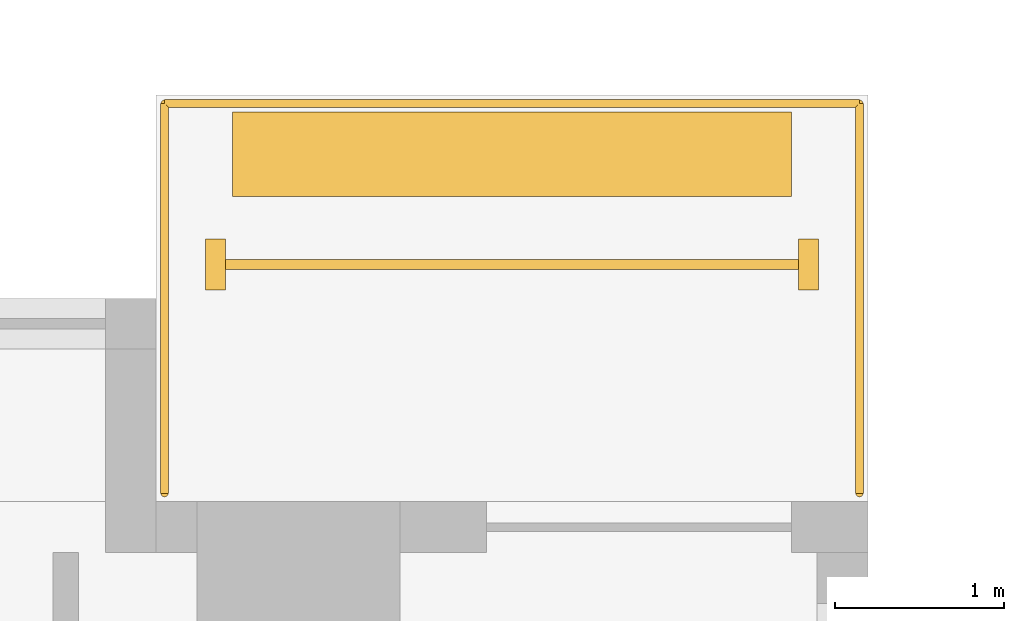
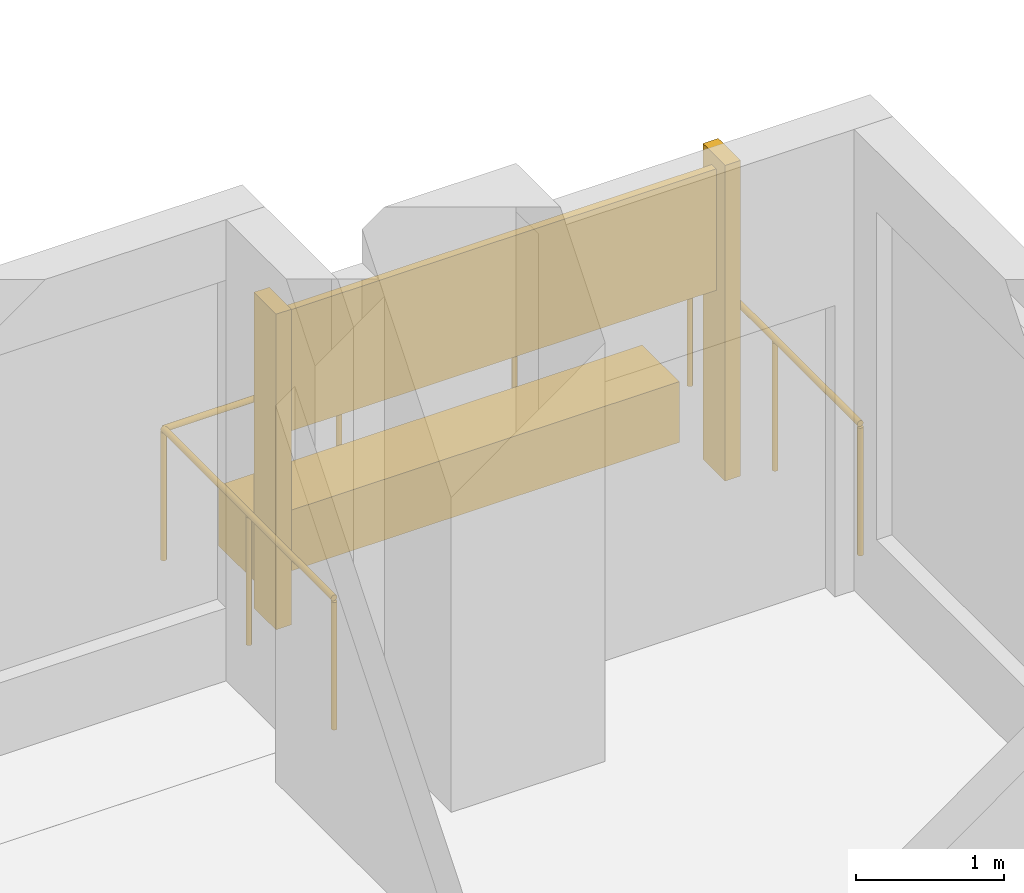
# One storey, part 15 of 15: 4 coverings, 1 railing.
"""IFC4 building model written with IfcOpenShell, lengths in metres."""

from ifc_helpers import new_model, si_unit, direction, frame, origin, origin_2d, place, context, subcontext, project, spatial, rectangle, circle, extrude, source, transform, mapped, material, type_object, element, save


model = new_model("IFC4")

# Units and contexts
model_context = context("Model", 3, precision=1e-05, world=origin(), true_north=direction((0.0, 1.0)))
body_context = subcontext(model_context, "Body", "Model", "MODEL_VIEW")
ifc_project = project(units=[si_unit("LENGTHUNIT", "METRE"), si_unit("AREAUNIT", "SQUARE_METRE"), si_unit("VOLUMEUNIT", "CUBIC_METRE"), si_unit("PLANEANGLEUNIT", "RADIAN"), si_unit("MASSUNIT", "GRAM", prefix="KILO")], contexts=[model_context])

# Site, building, storey
site_placement = place(None, origin())
site = spatial("IfcSite", under=ifc_project, at=site_placement, CompositionType="ELEMENT")
building_placement = place(site_placement, origin())
building = spatial("IfcBuilding", under=site, at=building_placement, Name="Aurelian Terraces", CompositionType="ELEMENT")
storey_placement = place(building_placement, frame((0.0, 0.0, 65.7)))
storey = spatial("IfcBuildingStorey", under=building, at=storey_placement, Name="L13", CompositionType="ELEMENT", Elevation=65.7)

# Coverings
ifc_material_1 = material(Name="Terracotta rainscreen cladding relief", Category="masonry")
covering_type_1 = type_object("IfcCoveringType", Name="FIN-TC", PredefinedType="CLADDING", material=ifc_material_1)
shared_shape_1 = source(origin(), body_context, "Body", "SweptSolid", [
    extrude(rectangle(XDim=0.12, YDim=0.3, at=origin_2d()), origin(), (0.0, 0.0, 1.0), 2.6),
])
for number, where, z_axis, x_axis, name in (
    (1, (66.85, 22.4, 0.0), (0.0, 0.0, 1.0), (1.0, 0.0, 0.0), "FIN L13 L13-F07-20.1"),
    (2, (63.35, 22.4, 0.0), (0.0, 0.0, 1.0), (1.0, 0.0, 0.0), "FIN L13 L13-F07-20.2"),
):
    element("IfcCovering", number, at=place(storey_placement, frame(where, z_axis=z_axis, x_axis=x_axis)), inside=storey, type_object=covering_type_1, Name=name, PredefinedType="CLADDING", context=body_context, shape_type="MappedRepresentation", body=[
        mapped(shared_shape_1, transform((0.0, 0.0, 0.0), scale=1.0)),
    ])

# Railing
ifc_material_2 = material(Name="Anodised aluminium", Category="aluminium")
railing_type = type_object("IfcRailingType", Name="GUARD-1100", PredefinedType="GUARDRAIL", material=ifc_material_2)
shared_shape_2 = source(origin(), body_context, "Body", "SweptSolid", [
    extrude(circle(Radius=0.024, at=origin_2d()), frame((0.0, 0.0, 1.076), z_axis=(0.0, 1.0, 0.0), x_axis=(-1.0, 0.0, 0.0)), (0.0, 0.0, 1.0), 2.3),
    extrude(circle(Radius=0.024, at=origin_2d()), frame((0.0, 2.3, 1.076), z_axis=(-1.0, 0.0, 0.0), x_axis=(0.0, -1.0, 0.0)), (0.0, 0.0, 1.0), 4.1),
    extrude(circle(Radius=0.024, at=origin_2d()), frame((-4.1, 2.3, 1.076), z_axis=(0.0, -1.0, 0.0), x_axis=(1.0, 0.0, 0.0)), (0.0, 0.0, 1.0), 2.3),
    extrude(circle(Radius=0.021, at=origin_2d()), origin(), (0.0, 0.0, 1.0), 1.052),
    extrude(circle(Radius=0.021, at=origin_2d()), frame((0.0, 1.15, 0.0)), (0.0, 0.0, 1.0), 1.052),
    extrude(circle(Radius=0.021, at=origin_2d()), frame((0.0, 2.3, 0.0)), (0.0, 0.0, 1.0), 1.052),
    extrude(circle(Radius=0.021, at=origin_2d()), frame((-1.3667, 2.3, 0.0)), (0.0, 0.0, 1.0), 1.052),
    extrude(circle(Radius=0.021, at=origin_2d()), frame((-2.7333, 2.3, 0.0)), (0.0, 0.0, 1.0), 1.052),
    extrude(circle(Radius=0.021, at=origin_2d()), frame((-4.1, 2.3, 0.0)), (0.0, 0.0, 1.0), 1.052),
    extrude(circle(Radius=0.021, at=origin_2d()), frame((-4.1, 1.15, 0.0)), (0.0, 0.0, 1.0), 1.052),
    extrude(circle(Radius=0.021, at=origin_2d()), frame((-4.1, 0.0, 0.0)), (0.0, 0.0, 1.0), 1.052),
])
railing_placement = place(storey_placement, frame((67.15, 21.05, 0.0)))
element("IfcRailing", 3, at=railing_placement, inside=storey, type_object=railing_type, Name="Balcony guard L13 F07.20", PredefinedType="GUARDRAIL", context=body_context, shape_type="MappedRepresentation", body=[
    mapped(shared_shape_2, transform((0.0, 0.0, 0.0), scale=1.0)),
])

# Coverings
ifc_material_3 = material(Name="Terracotta planter with planting soil", Category="masonry")
covering_type_2 = type_object("IfcCoveringType", Name="PLANTER-TROUGH", PredefinedType="USERDEFINED", material=ifc_material_3)
shared_shape_3 = source(origin(), body_context, "Body", "SweptSolid", [
    extrude(rectangle(XDim=3.3, YDim=0.5, at=origin_2d()), origin(), (0.0, 0.0, 1.0), 0.5),
])
covering_1_placement = place(storey_placement, frame((65.1, 23.05, 0.0), z_axis=(0.0, 0.0, 1.0), x_axis=(1.0, 0.0, 0.0)))
element("IfcCovering", 4, at=covering_1_placement, inside=storey, type_object=covering_type_2, Name="PLANTER L13 L13-F07-20", ObjectType="PLANTER", PredefinedType="USERDEFINED", context=body_context, shape_type="MappedRepresentation", body=[
    mapped(shared_shape_3, transform((0.0, 0.0, 0.0), scale=1.0)),
])
ifc_material_4 = material(Name="Terracotta rainscreen cladding", Category="masonry")
covering_type_3 = type_object("IfcCoveringType", Name="SCREEN-TC", PredefinedType="CLADDING", material=ifc_material_4)
shared_shape_4 = source(origin(), body_context, "Body", "SweptSolid", [
    extrude(rectangle(XDim=3.38, YDim=0.06, at=origin_2d()), origin(), (0.0, 0.0, 1.0), 1.0),
])
covering_2_placement = place(storey_placement, frame((65.1, 22.4, 1.5), z_axis=(0.0, 0.0, 1.0), x_axis=(1.0, 0.0, 0.0)))
element("IfcCovering", 5, at=covering_2_placement, inside=storey, type_object=covering_type_3, Name="SCREEN L13 L13-F07-20", PredefinedType="CLADDING", context=body_context, shape_type="MappedRepresentation", body=[
    mapped(shared_shape_4, transform((0.0, 0.0, 0.0), scale=1.0)),
])

save(model, "model.ifc")
